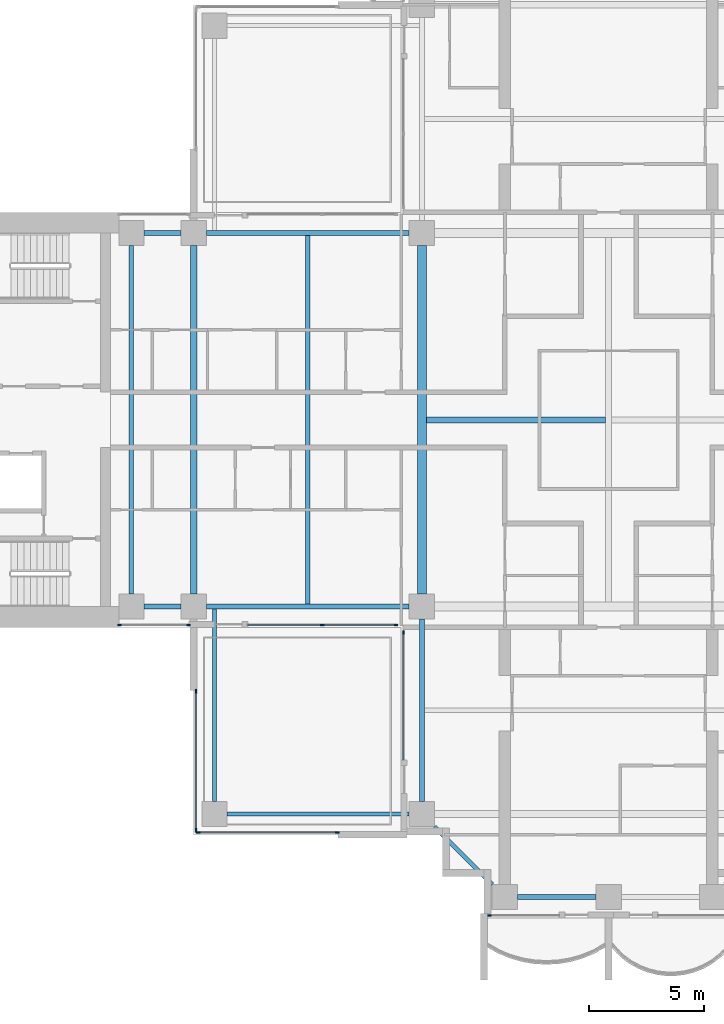
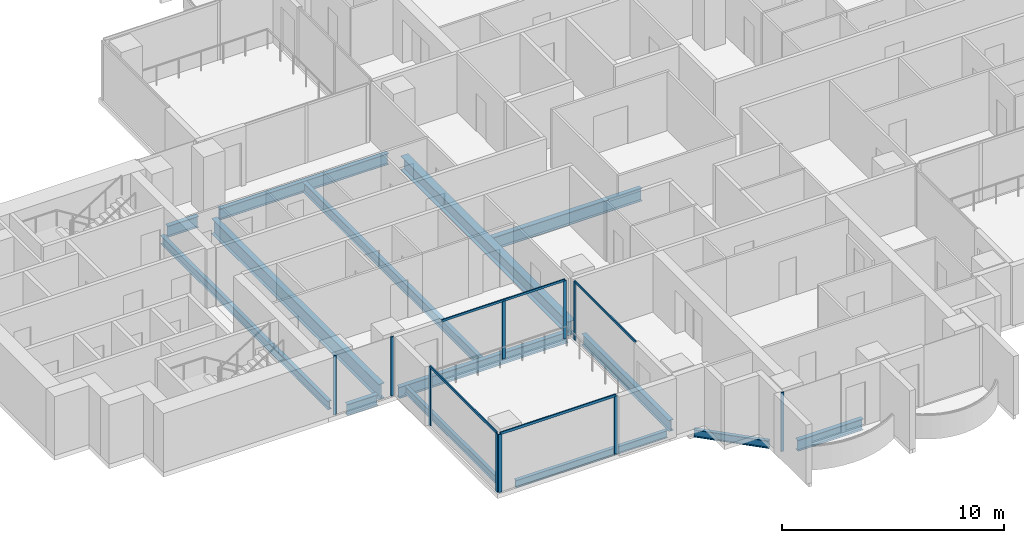
# One storey, part 2 of 19: 14 beams, 14 members, 6 elements without a shape of their own.
"""IFC4 building model written with IfcOpenShell, lengths in metres."""

from ifc_helpers import new_model, si_unit, direction, frame, origin, origin_2d, place, context, subcontext, project, spatial, rectangle, i_section, extrude, material, material_profile, profile_set, type_object, element, aggregate, save


model = new_model("IFC4")

# Units and contexts
model_context = context("Model", 3, precision=1e-05, world=origin(), true_north=direction((0.0, 1.0)))
body_context = subcontext(model_context, "Body", "Model", "MODEL_VIEW")
ifc_project = project(units=[si_unit("LENGTHUNIT", "METRE"), si_unit("AREAUNIT", "SQUARE_METRE"), si_unit("VOLUMEUNIT", "CUBIC_METRE"), si_unit("PLANEANGLEUNIT", "RADIAN"), si_unit("MASSUNIT", "GRAM", prefix="KILO")], contexts=[model_context])

# Site, building, storey
site_placement = place(None, origin())
site = spatial("IfcSite", under=ifc_project, at=site_placement, CompositionType="ELEMENT")
building_placement = place(site_placement, origin())
building = spatial("IfcBuilding", under=site, at=building_placement, Name="Perihelion Cross Residences", CompositionType="ELEMENT")
storey_placement = place(building_placement, frame((0.0, 0.0, 144.39990234375)))
storey = spatial("IfcBuildingStorey", under=building, at=storey_placement, Name="L35", CompositionType="ELEMENT", Elevation=144.39990234375)

# Curtain wall, members
ifc_material_1 = material(Name="Bronze anodised aluminium, tinted glazing", Category="aluminium")
curtain_wall_type_1 = type_object("IfcCurtainWallType", Name="CW1", PredefinedType="NOTDEFINED", material=ifc_material_1)
curtain_wall_1_placement = place(storey_placement, origin())
curtain_wall_1 = element("IfcCurtainWall", 1, at=curtain_wall_1_placement, inside=storey, type_object=curtain_wall_type_1, Name="Curtain wall CW1 L35 west side south bay 1", PredefinedType="NOTDEFINED")
ifc_material_2 = material(Name="Bronze anodised aluminium", Category="aluminium")
ifc_material_profile_1 = material_profile(ifc_material_2, rectangle(XDim=0.06005859375, YDim=0.159912109375, at=origin_2d()), Name="CW1 mullion")
ifc_profile_set_1 = profile_set([ifc_material_profile_1], Name="Bronze anodised aluminium")
member_type_1 = type_object("IfcMemberType", Name="CW1 mullion", PredefinedType="MULLION", material=ifc_profile_set_1)
member_1_placement = place(storey_placement, frame((-21.219970703125, -8.89990234375, 0.0), z_axis=(0.0, 0.0, 1.0), x_axis=(0.0, 1.0, 0.0)))
member_1 = element("IfcMember", 2, at=member_1_placement, type_object=member_type_1, Name="CW1 mullion 1", PredefinedType="MULLION", context=body_context, shape_type="SweptSolid", body=[
    extrude(rectangle(XDim=0.06005859375, YDim=0.159912109375, at=origin_2d()), origin(), (0.0, 0.0, 1.0), 3.25),
])
member_2_placement = place(storey_placement, frame((-18.22998046875, -8.89990234375, 0.0), z_axis=(0.0, 0.0, 1.0), x_axis=(0.0, 1.0, 0.0)))
member_2 = element("IfcMember", 3, at=member_2_placement, type_object=member_type_1, Name="CW1 mullion 2", PredefinedType="MULLION", context=body_context, shape_type="SweptSolid", body=[
    extrude(rectangle(XDim=0.06005859375, YDim=0.159912109375, at=origin_2d()), origin(), (0.0, 0.0, 1.0), 3.25),
])
aggregate(curtain_wall_1, [member_1, member_2])

curtain_wall_2_placement = place(storey_placement, origin())
curtain_wall_2 = element("IfcCurtainWall", 4, at=curtain_wall_2_placement, inside=storey, type_object=curtain_wall_type_1, Name="Curtain wall CW1 L35 west side south bay 2", PredefinedType="NOTDEFINED")
member_3_placement = place(storey_placement, frame((-12.425048828125, -8.89990234375, 0.0), z_axis=(0.0, 0.0, 1.0), x_axis=(0.0, 1.0, 0.0)))
member_3 = element("IfcMember", 5, at=member_3_placement, type_object=member_type_1, Name="CW1 mullion 2", PredefinedType="MULLION", context=body_context, shape_type="SweptSolid", body=[
    extrude(rectangle(XDim=0.06005859375, YDim=0.159912109375, at=origin_2d()), origin(), (0.0, 0.0, 1.0), 3.190185546875),
])
member_4_placement = place(storey_placement, frame((-9.22998046875, -8.89990234375, 0.0), z_axis=(0.0, 0.0, 1.0), x_axis=(0.0, 1.0, 0.0)))
member_4 = element("IfcMember", 6, at=member_4_placement, type_object=member_type_1, Name="CW1 mullion 3", PredefinedType="MULLION", context=body_context, shape_type="SweptSolid", body=[
    extrude(rectangle(XDim=0.06005859375, YDim=0.159912109375, at=origin_2d()), origin(), (0.0, 0.0, 1.0), 3.190185546875),
])

# Curtain wall, member
curtain_wall_3_placement = place(storey_placement, origin())
curtain_wall_3 = element("IfcCurtainWall", 7, at=curtain_wall_3_placement, inside=storey, type_object=curtain_wall_type_1, Name="Curtain wall CW1 L35 south side west bay 1", PredefinedType="NOTDEFINED")
member_5_placement = place(storey_placement, frame((-8.89990234375, -9.22998046875, 0.0), z_axis=(0.0, 0.0, 1.0), x_axis=(1.0, 0.0, 0.0)))
member_5 = element("IfcMember", 8, at=member_5_placement, type_object=member_type_1, Name="CW1 mullion 1", PredefinedType="MULLION", context=body_context, shape_type="SweptSolid", body=[
    extrude(rectangle(XDim=0.06005859375, YDim=0.159912109375, at=origin_2d()), origin(), (0.0, 0.0, 1.0), 3.190185546875),
])

curtain_wall_4_placement = place(storey_placement, origin())
curtain_wall_4 = element("IfcCurtainWall", 9, at=curtain_wall_4_placement, inside=storey, type_object=curtain_wall_type_1, Name="Curtain wall CW1 L35 south tip south bay 1", PredefinedType="NOTDEFINED")
member_6_placement = place(storey_placement, frame((-5.169921875, -21.5, 0.0), z_axis=(0.0, 0.0, 1.0), x_axis=(0.0, 1.0, 0.0)))
member_6 = element("IfcMember", 10, at=member_6_placement, type_object=member_type_1, Name="CW1 mullion 1", PredefinedType="MULLION", context=body_context, shape_type="SweptSolid", body=[
    extrude(rectangle(XDim=0.06005859375, YDim=0.159912109375, at=origin_2d()), origin(), (0.0, 0.0, 1.0), 3.25),
])
aggregate(curtain_wall_4, [member_6])

# Member
ifc_material_3 = material(Name="Bronze anodised aluminium", Category="aluminium")
ifc_material_profile_2 = material_profile(ifc_material_3, rectangle(XDim=0.06005859375, YDim=0.1201171875, at=origin_2d()), Name="CW1 transom")
ifc_profile_set_2 = profile_set([ifc_material_profile_2], Name="Bronze anodised aluminium")
member_type_2 = type_object("IfcMemberType", Name="CW1 transom", PredefinedType="USERDEFINED", material=ifc_profile_set_2)
member_7_placement = place(storey_placement, frame((-15.64990234375, -8.89990234375, 3.22021484375), z_axis=(1.0, 0.0, 0.0), x_axis=(0.0, 1.0, 0.0)))
member_7 = element("IfcMember", 11, at=member_7_placement, type_object=member_type_2, Name="CW1 head transom", ObjectType="TRANSOM", PredefinedType="USERDEFINED", context=body_context, shape_type="SweptSolid", body=[
    extrude(rectangle(XDim=0.06005859375, YDim=0.1201171875, at=origin_2d()), origin(), (0.0, 0.0, 1.0), 6.419921875),
])

aggregate(curtain_wall_2, [member_3, member_4, member_7])

member_8_placement = place(storey_placement, frame((-8.89990234375, -9.22998046875, 3.22021484375), z_axis=(0.0, -1.0, 0.0), x_axis=(1.0, 0.0, 0.0)))
member_8 = element("IfcMember", 12, at=member_8_placement, type_object=member_type_2, Name="CW1 head transom", ObjectType="TRANSOM", PredefinedType="USERDEFINED", context=body_context, shape_type="SweptSolid", body=[
    extrude(rectangle(XDim=0.06005859375, YDim=0.1201171875, at=origin_2d()), origin(), (0.0, 0.0, 1.0), 5.52001953125),
])

aggregate(curtain_wall_3, [member_5, member_8])

# Curtain wall, members
ifc_material_4 = material(Name="Bronze anodised aluminium, tinted glazing", Category="aluminium")
curtain_wall_type_2 = type_object("IfcCurtainWallType", Name="CW4", PredefinedType="NOTDEFINED", material=ifc_material_4)
curtain_wall_5_placement = place(storey_placement, origin())
curtain_wall_5 = element("IfcCurtainWall", 13, at=curtain_wall_5_placement, inside=storey, type_object=curtain_wall_type_2, Name="Curtain wall CW4 L35 pocket south-west 1 1", PredefinedType="NOTDEFINED")
ifc_material_5 = material(Name="Bronze anodised aluminium", Category="aluminium")
ifc_material_profile_3 = material_profile(ifc_material_5, rectangle(XDim=0.06005859375, YDim=0.179931640625, at=origin_2d()), Name="CW4 mullion")
ifc_profile_set_3 = profile_set([ifc_material_profile_3], Name="Bronze anodised aluminium")
member_type_3 = type_object("IfcMemberType", Name="CW4 mullion", PredefinedType="MULLION", material=ifc_profile_set_3)
member_9_placement = place(storey_placement, frame((-11.77001953125, -17.89990234375, 0.0), z_axis=(0.0, 0.0, 1.0), x_axis=(0.0, -1.0, 0.0)))
member_9 = element("IfcMember", 14, at=member_9_placement, type_object=member_type_3, Name="CW4 mullion 1", PredefinedType="MULLION", context=body_context, shape_type="SweptSolid", body=[
    extrude(rectangle(XDim=0.06005859375, YDim=0.179931640625, at=origin_2d()), origin(), (0.0, 0.0, 1.0), 3.190185546875),
])
member_10_placement = place(storey_placement, frame((-17.800048828125, -17.89990234375, 0.0), z_axis=(0.0, 0.0, 1.0), x_axis=(0.0, -1.0, 0.0)))
member_10 = element("IfcMember", 15, at=member_10_placement, type_object=member_type_3, Name="CW4 mullion 2", PredefinedType="MULLION", context=body_context, shape_type="SweptSolid", body=[
    extrude(rectangle(XDim=0.06005859375, YDim=0.179931640625, at=origin_2d()), origin(), (0.0, 0.0, 1.0), 3.190185546875),
])

curtain_wall_6_placement = place(storey_placement, origin())
curtain_wall_6 = element("IfcCurtainWall", 16, at=curtain_wall_6_placement, inside=storey, type_object=curtain_wall_type_2, Name="Curtain wall CW4 L35 pocket south-west 1 2", PredefinedType="NOTDEFINED")
member_11_placement = place(storey_placement, frame((-17.89990234375, -17.800048828125, 0.0), z_axis=(0.0, 0.0, 1.0), x_axis=(-1.0, 0.0, 0.0)))
member_11 = element("IfcMember", 17, at=member_11_placement, type_object=member_type_3, Name="CW4 mullion 1", PredefinedType="MULLION", context=body_context, shape_type="SweptSolid", body=[
    extrude(rectangle(XDim=0.06005859375, YDim=0.179931640625, at=origin_2d()), origin(), (0.0, 0.0, 1.0), 3.190185546875),
])
member_12_placement = place(storey_placement, frame((-17.89990234375, -11.77001953125, 0.0), z_axis=(0.0, 0.0, 1.0), x_axis=(-1.0, 0.0, 0.0)))
member_12 = element("IfcMember", 18, at=member_12_placement, type_object=member_type_3, Name="CW4 mullion 2", PredefinedType="MULLION", context=body_context, shape_type="SweptSolid", body=[
    extrude(rectangle(XDim=0.06005859375, YDim=0.179931640625, at=origin_2d()), origin(), (0.0, 0.0, 1.0), 3.190185546875),
])

# Member
ifc_material_6 = material(Name="Bronze anodised aluminium", Category="aluminium")
ifc_material_profile_4 = material_profile(ifc_material_6, rectangle(XDim=0.06005859375, YDim=0.139892578125, at=origin_2d()), Name="CW4 transom")
ifc_profile_set_4 = profile_set([ifc_material_profile_4], Name="Bronze anodised aluminium")
member_type_4 = type_object("IfcMemberType", Name="CW4 transom", PredefinedType="USERDEFINED", material=ifc_profile_set_4)
member_13_placement = place(storey_placement, frame((-11.77001953125, -17.89990234375, 3.22021484375), z_axis=(-1.0, 0.0, 0.0), x_axis=(0.0, -1.0, 0.0)))
member_13 = element("IfcMember", 19, at=member_13_placement, type_object=member_type_4, Name="CW4 head transom", ObjectType="TRANSOM", PredefinedType="USERDEFINED", context=body_context, shape_type="SweptSolid", body=[
    extrude(rectangle(XDim=0.06005859375, YDim=0.139892578125, at=origin_2d()), origin(), (0.0, 0.0, 1.0), 6.030029296875),
])

aggregate(curtain_wall_5, [member_9, member_10, member_13])

member_14_placement = place(storey_placement, frame((-17.89990234375, -17.800048828125, 3.22021484375), z_axis=(0.0, 1.0, 0.0), x_axis=(-1.0, 0.0, 0.0)))
member_14 = element("IfcMember", 20, at=member_14_placement, type_object=member_type_4, Name="CW4 head transom", ObjectType="TRANSOM", PredefinedType="USERDEFINED", context=body_context, shape_type="SweptSolid", body=[
    extrude(rectangle(XDim=0.06005859375, YDim=0.139892578125, at=origin_2d()), origin(), (0.0, 0.0, 1.0), 6.030029296875),
])

aggregate(curtain_wall_6, [member_11, member_12, member_14])

# Beams
ifc_material_7 = material(Name="Steel S355", Category="steel")
ifc_material_profile_5 = material_profile(ifc_material_7, i_section(OverallWidth=0.177978515625, OverallDepth=0.406005859375, WebThickness=0.0078125, FlangeThickness=0.0126953125, at=origin_2d()), Name="W410x60")
ifc_profile_set_5 = profile_set([ifc_material_profile_5], Name="Steel S355")
beam_type_1 = type_object("IfcBeamType", Name="Core edge beam W410x60", PredefinedType="BEAM", material=ifc_profile_set_5)
beam_1_placement = place(storey_placement, frame((-17.10009765625, -8.214599609375, -0.452880859375), z_axis=(0.0, -1.0, 0.0), x_axis=(1.0, 0.0, 0.0)))
element("IfcBeam", 21, at=beam_1_placement, inside=storey, type_object=beam_type_1, Name="Core edge beam TB2 L35 corner no. 1", PredefinedType="BEAM", context=body_context, shape_type="SweptSolid", body=[
    extrude(i_section(OverallWidth=0.177978515625, OverallDepth=0.406005859375, WebThickness=0.0078125, FlangeThickness=0.0126953125, at=origin_2d()), origin(), (0.0, 0.0, 1.0), 8.33544921875),
])
beam_2_placement = place(storey_placement, frame((-8.64990234375, -17.10009765625, -0.452880859375), z_axis=(-1.0, 0.0, 0.0), x_axis=(0.0, -1.0, 0.0)))
element("IfcBeam", 22, at=beam_2_placement, inside=storey, type_object=beam_type_1, Name="Core edge beam TB2 L35 corner no. 2", PredefinedType="BEAM", context=body_context, shape_type="SweptSolid", body=[
    extrude(i_section(OverallWidth=0.177978515625, OverallDepth=0.406005859375, WebThickness=0.0078125, FlangeThickness=0.0126953125, at=origin_2d()), origin(), (0.0, 0.0, 1.0), 7.900146484375),
])
ifc_material_8 = material(Name="Steel S355", Category="steel")
ifc_material_profile_6 = material_profile(ifc_material_8, i_section(OverallWidth=0.194091796875, OverallDepth=0.469970703125, WebThickness=0.0126953125, FlangeThickness=0.0205078125, at=origin_2d()), Name="W460x106")
ifc_profile_set_6 = profile_set([ifc_material_profile_6], Name="Steel S355")
beam_type_2 = type_object("IfcBeamType", Name="Core edge beam W460x106", PredefinedType="BEAM", material=ifc_profile_set_6)
beam_3_placement = place(storey_placement, frame((-20.699951171875, -7.550048828125, -0.48486328125), z_axis=(0.0, 1.0, 0.0), x_axis=(-1.0, 0.0, 0.0)))
element("IfcBeam", 23, at=beam_3_placement, inside=storey, type_object=beam_type_2, Name="Core edge beam TB5 L35 no. 1", PredefinedType="BEAM", context=body_context, shape_type="SweptSolid", body=[
    extrude(i_section(OverallWidth=0.194091796875, OverallDepth=0.469970703125, WebThickness=0.0126953125, FlangeThickness=0.0205078125, at=origin_2d()), origin(), (0.0, 0.0, 1.0), 15.10009765625),
])
ifc_material_9 = material(Name="Steel S355", Category="steel")
ifc_material_profile_7 = material_profile(ifc_material_9, i_section(OverallWidth=0.22900390625, OverallDepth=0.612060546875, WebThickness=0.011962890625, FlangeThickness=0.01953125, at=origin_2d()), Name="W610x125")
ifc_profile_set_7 = profile_set([ifc_material_profile_7], Name="Steel S355")
beam_type_3 = type_object("IfcBeamType", Name="Edge beam W610x125", PredefinedType="SPANDREL", material=ifc_profile_set_7)
beam_4_placement = place(storey_placement, frame((-8.64990234375, 8.10009765625, -0.555908203125), z_axis=(-1.0, 0.0, 0.0), x_axis=(0.0, -1.0, 0.0)))
element("IfcBeam", 24, at=beam_4_placement, inside=storey, type_object=beam_type_3, Name="Edge beam SB3 L35 no. 8", PredefinedType="SPANDREL", context=body_context, shape_type="SweptSolid", body=[
    extrude(i_section(OverallWidth=0.22900390625, OverallDepth=0.612060546875, WebThickness=0.011962890625, FlangeThickness=0.01953125, at=origin_2d()), origin(), (0.0, 0.0, 1.0), 8.800048828125),
])
for number, where, z_axis, x_axis, name in (
    (25, (-18.550048828125, 8.10009765625, -0.555908203125), (-1.0, 0.0, 0.0), (0.0, -1.0, 0.0), "Edge beam SB3 L35 no. 2"),
    (26, (-20.14990234375, -8.10009765625, -0.555908203125), (1.0, 0.0, 0.0), (0.0, 1.0, 0.0), "Edge beam SB3 L35 no. 3"),
):
    element("IfcBeam", number, at=place(storey_placement, frame(where, z_axis=z_axis, x_axis=x_axis)), inside=storey, type_object=beam_type_3, Name=name, PredefinedType="SPANDREL", context=body_context, shape_type="SweptSolid", body=[
        extrude(i_section(OverallWidth=0.22900390625, OverallDepth=0.612060546875, WebThickness=0.011962890625, FlangeThickness=0.01953125, at=origin_2d()), origin(), (0.0, 0.0, 1.0), 1.599853515625),
    ])
beam_5_placement = place(storey_placement, frame((-17.449951171875, -8.10009765625, -0.555908203125), z_axis=(1.0, 0.0, 0.0), x_axis=(0.0, 1.0, 0.0)))
element("IfcBeam", 27, at=beam_5_placement, inside=storey, type_object=beam_type_3, Name="Edge beam SB3 L35 no. 1", PredefinedType="SPANDREL", context=body_context, shape_type="SweptSolid", body=[
    extrude(i_section(OverallWidth=0.22900390625, OverallDepth=0.612060546875, WebThickness=0.011962890625, FlangeThickness=0.01953125, at=origin_2d()), origin(), (0.0, 0.0, 1.0), 8.800048828125),
])
beam_6_placement = place(storey_placement, frame((-8.10009765625, -8.64990234375, -0.555908203125), z_axis=(0.0, -1.0, 0.0), x_axis=(1.0, 0.0, 0.0)))
element("IfcBeam", 28, at=beam_6_placement, inside=storey, type_object=beam_type_3, Name="Edge beam SB3 L35 no. 5", PredefinedType="SPANDREL", context=body_context, shape_type="SweptSolid", body=[
    extrude(i_section(OverallWidth=0.22900390625, OverallDepth=0.612060546875, WebThickness=0.011962890625, FlangeThickness=0.01953125, at=origin_2d()), origin(), (0.0, 0.0, 1.0), 7.900146484375),
])
beam_7_placement = place(storey_placement, frame((-3.949951171875, -20.699951171875, -0.555908203125), z_axis=(1.0, 0.0, 0.0), x_axis=(0.0, 1.0, 0.0)))
element("IfcBeam", 29, at=beam_7_placement, inside=storey, type_object=beam_type_3, Name="Edge beam SB3 L35 no. 4", PredefinedType="SPANDREL", context=body_context, shape_type="SweptSolid", body=[
    extrude(i_section(OverallWidth=0.22900390625, OverallDepth=0.612060546875, WebThickness=0.011962890625, FlangeThickness=0.01953125, at=origin_2d()), origin(), (0.0, 0.0, 1.0), 3.39990234375),
])
ifc_material_10 = material(Name="Steel S355", Category="steel")
ifc_material_profile_8 = material_profile(ifc_material_10, i_section(OverallWidth=0.2919921875, OverallDepth=0.8359375, WebThickness=0.013916015625, FlangeThickness=0.018798828125, at=origin_2d()), Name="W840x176")
ifc_profile_set_8 = profile_set([ifc_material_profile_8], Name="Steel S355")
beam_type_4 = type_object("IfcBeamType", Name="Floor girder W840x176", PredefinedType="BEAM", material=ifc_profile_set_8)
beam_8_placement = place(storey_placement, frame((-18.0, -7.550048828125, -0.66796875), z_axis=(0.0, 1.0, 0.0), x_axis=(-1.0, 0.0, 0.0)))
element("IfcBeam", 30, at=beam_8_placement, inside=storey, type_object=beam_type_4, Name="Girder G3 L35 no. 1", PredefinedType="BEAM", context=body_context, shape_type="SweptSolid", body=[
    extrude(i_section(OverallWidth=0.2919921875, OverallDepth=0.8359375, WebThickness=0.013916015625, FlangeThickness=0.018798828125, at=origin_2d()), origin(), (0.0, 0.0, 1.0), 15.10009765625),
])
ifc_material_11 = material(Name="Steel S355", Category="steel")
ifc_material_profile_9 = material_profile(ifc_material_11, i_section(OverallWidth=0.208984375, OverallDepth=0.532958984375, WebThickness=0.01025390625, FlangeThickness=0.015625, at=origin_2d()), Name="W530x92")
ifc_profile_set_9 = profile_set([ifc_material_profile_9], Name="Steel S355")
beam_type_5 = type_object("IfcBeamType", Name="Floor joist W530x92", PredefinedType="JOIST", material=ifc_profile_set_9)
beam_9_placement = place(storey_placement, frame((-13.050048828125, -7.985595703125, -0.516357421875), z_axis=(0.0, 1.0, 0.0), x_axis=(-1.0, 0.0, 0.0)))
element("IfcBeam", 31, at=beam_9_placement, inside=storey, type_object=beam_type_5, Name="Joist J4 L35 no. 1", PredefinedType="JOIST", context=body_context, shape_type="SweptSolid", body=[
    extrude(i_section(OverallWidth=0.208984375, OverallDepth=0.532958984375, WebThickness=0.01025390625, FlangeThickness=0.015625, at=origin_2d()), origin(), (0.0, 0.0, 1.0), 15.97119140625),
])
ifc_material_12 = material(Name="Steel S355", Category="steel")
ifc_material_profile_10 = material_profile(ifc_material_12, i_section(OverallWidth=0.257080078125, OverallDepth=0.693115234375, WebThickness=0.014404296875, FlangeThickness=0.023681640625, at=origin_2d()), Name="W690x170")
ifc_profile_set_10 = profile_set([ifc_material_profile_10], Name="Steel S355")
beam_type_6 = type_object("IfcBeamType", Name="Hub cross beam W690x170", PredefinedType="BEAM", material=ifc_profile_set_10)
beam_10_placement = place(storey_placement, frame((-7.909423828125, 0.0, -0.596435546875), z_axis=(1.0, 0.0, 0.0), x_axis=(0.0, 1.0, 0.0)))
element("IfcBeam", 32, at=beam_10_placement, inside=storey, type_object=beam_type_6, Name="Hub cross beam XB3 L35 1 no. 1", PredefinedType="BEAM", context=body_context, shape_type="SweptSolid", body=[
    extrude(i_section(OverallWidth=0.257080078125, OverallDepth=0.693115234375, WebThickness=0.014404296875, FlangeThickness=0.023681640625, at=origin_2d()), origin(), (0.0, 0.0, 1.0), 7.781005859375),
])
ifc_material_13 = material(Name="Steel S355", Category="steel")
ifc_material_profile_11 = material_profile(ifc_material_13, i_section(OverallWidth=0.381103515625, OverallDepth=0.77197265625, WebThickness=0.0166015625, FlangeThickness=0.027099609375, at=origin_2d()), Name="W760x257")
ifc_profile_set_11 = profile_set([ifc_material_profile_11], Name="Steel S355")
beam_type_7 = type_object("IfcBeamType", Name="Hub ring girder W760x257", PredefinedType="BEAM", material=ifc_profile_set_11)
beam_11_placement = place(storey_placement, frame((-8.10009765625, 7.550048828125, -0.635986328125), z_axis=(0.0, -1.0, 0.0), x_axis=(1.0, 0.0, 0.0)))
element("IfcBeam", 33, at=beam_11_placement, inside=storey, type_object=beam_type_7, Name="Hub ring girder RG3 L35 no. 2", PredefinedType="BEAM", context=body_context, shape_type="SweptSolid", body=[
    extrude(i_section(OverallWidth=0.381103515625, OverallDepth=0.77197265625, WebThickness=0.0166015625, FlangeThickness=0.027099609375, at=origin_2d()), origin(), (0.0, 0.0, 1.0), 15.10009765625),
])
ifc_material_14 = material(Name="Steel S355", Category="steel")
ifc_material_profile_12 = material_profile(ifc_material_14, i_section(OverallWidth=0.180908203125, OverallDepth=0.4169921875, WebThickness=0.010986328125, FlangeThickness=0.018310546875, at=origin_2d()), Name="W410x85")
ifc_profile_set_12 = profile_set([ifc_material_profile_12], Name="Steel S355")
beam_type_8 = type_object("IfcBeamType", Name="Serration edge beam W410x85", PredefinedType="BEAM", material=ifc_profile_set_12)
beam_12_placement = place(storey_placement, frame((-7.550048828125, -17.64990234375, -0.45849609375), z_axis=(0.707106781187, -0.707106781187, 0.0), x_axis=(0.707106781187, 0.707106781187, 0.0)))
element("IfcBeam", 34, at=beam_12_placement, inside=storey, type_object=beam_type_8, Name="Serration edge beam EB3 L35 no. 2", PredefinedType="BEAM", context=body_context, shape_type="SweptSolid", body=[
    extrude(i_section(OverallWidth=0.180908203125, OverallDepth=0.4169921875, WebThickness=0.010986328125, FlangeThickness=0.018310546875, at=origin_2d()), origin(), (0.0, 0.0, 1.0), 3.53564453125),
])

save(model, "model.ifc")
